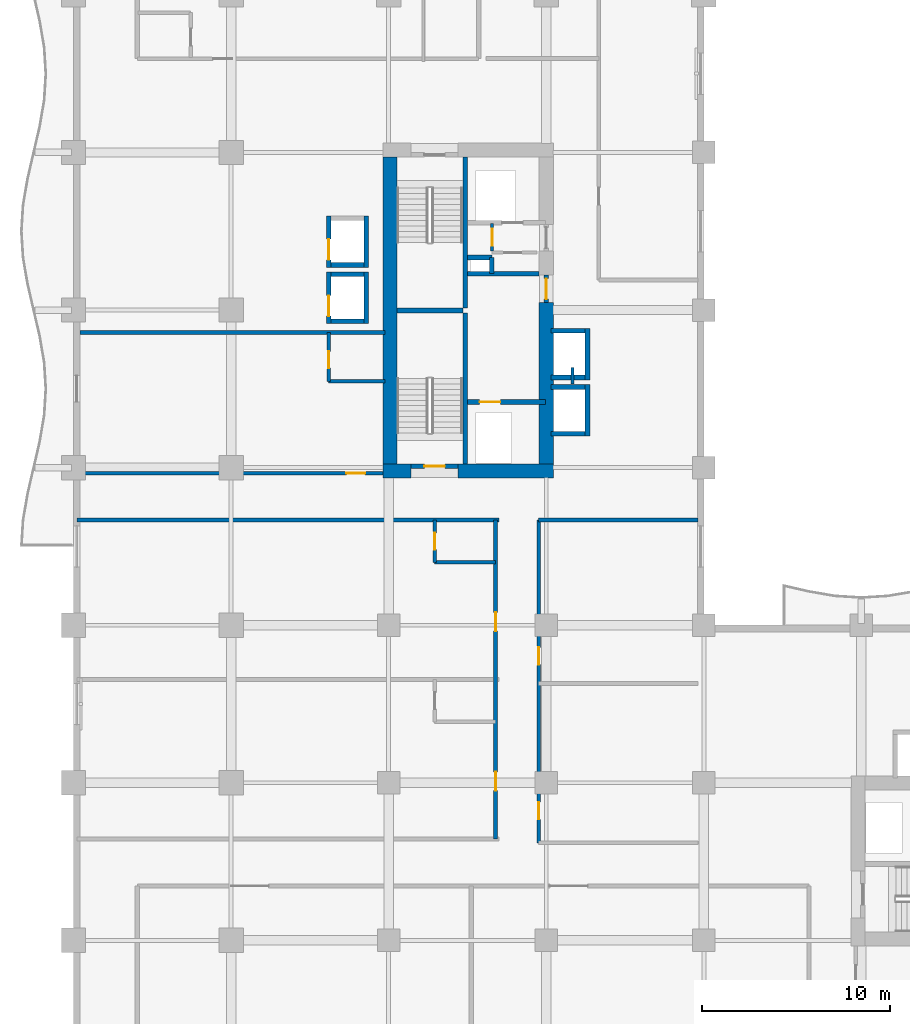
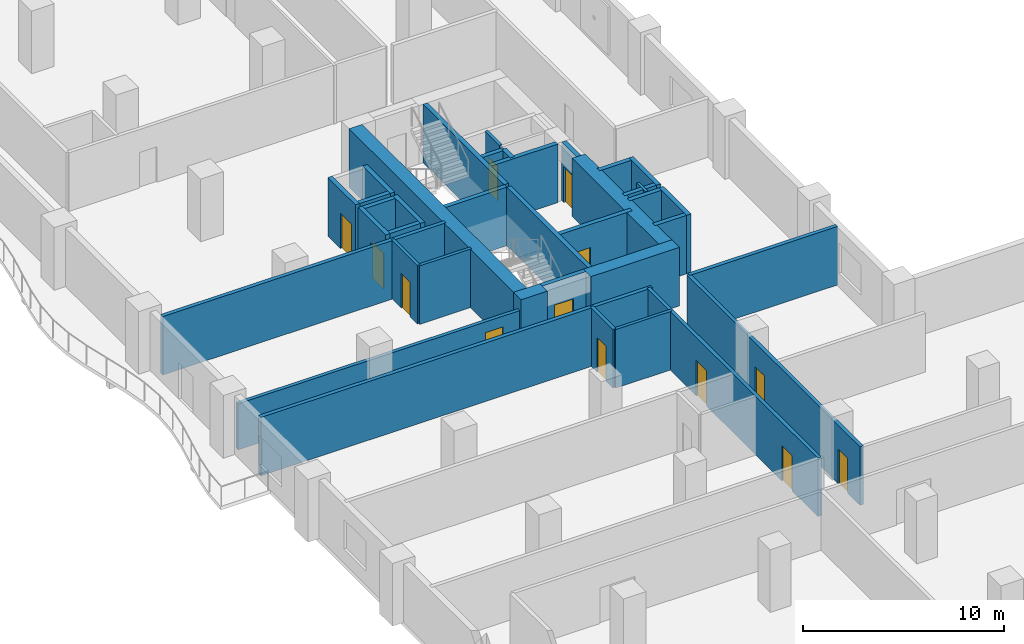
# One storey, part 10 of 22: 38 walls, 13 doors, 13 openings.
"""IFC4 building model written with IfcOpenShell, lengths in metres."""

import ifcopenshell
import ifcopenshell.guid

model = None  # the IFC model being written
_history = None  # IfcOwnerHistory: only IFC2X3 demands one
_inside = {}  # id of a spatial element -> (the spatial element, [elements in it])
_under = {}  # id of a project, library or spatial element -> (it, [spatial elements below it])
_declared = {}  # id of a project -> (the project, [libraries it declares])
_typed = {}  # id of a type object -> (the type object, [elements of that type])
_made_of = {}  # id of a material, layer set ... -> (it, [elements and type objects made of it])


def new_model(schema):
    """Start an empty IFC model of exactly this schema.

    Asked for "IFC4X3", IfcOpenShell would pick the latest addendum, in which some entities
    have other attributes; the version numbers below select the first issue.
    IFC2X3 requires an IfcOwnerHistory on every rooted entity: one is made here for all.
    """
    global model, _history
    if schema == "IFC4X3":
        model = ifcopenshell.file(schema_version=(4, 3, 0, 0))
    else:
        model = ifcopenshell.file(schema=schema)
    _inside.clear()
    _under.clear()
    _declared.clear()
    _typed.clear()
    _made_of.clear()
    _history = None
    if model.schema == "IFC2X3":
        org = make("IfcOrganization", Name="unknown")
        user = make(
            "IfcPersonAndOrganization",
            ThePerson=make("IfcPerson", FamilyName="unknown"),
            TheOrganization=org,
        )
        app = make(
            "IfcApplication",
            ApplicationDeveloper=org,
            Version="unknown",
            ApplicationFullName="unknown",
            ApplicationIdentifier="unknown",
        )
        _history = make(
            "IfcOwnerHistory",
            OwningUser=user,
            OwningApplication=app,
            ChangeAction="ADDED",
            CreationDate=0,
        )
    return model


def make(cls, **values):
    """One entity of the class cls with the attributes given. An attribute that is None is left unset."""
    return model.create_entity(
        cls, **{name: value for name, value in values.items() if value is not None}
    )


def rooted(cls, **values):
    """An entity with a GlobalId (a new one), such as an element, a storey or a relation."""
    return make(cls, GlobalId=ifcopenshell.guid.new(), OwnerHistory=_history, **values)


def si_unit(unit_type, name, prefix=None):
    """IfcSIUnit, for example si_unit("LENGTHUNIT", "METRE", prefix="MILLI")."""
    return make("IfcSIUnit", UnitType=unit_type, Prefix=prefix, Name=name)


def assignment(units):
    """IfcUnitAssignment: the units of a project."""
    return None if units is None else make("IfcUnitAssignment", Units=units)


def point(xyz):
    """IfcCartesianPoint."""
    return None if xyz is None else make("IfcCartesianPoint", Coordinates=xyz)


def direction(xyz):
    """IfcDirection."""
    return None if xyz is None else make("IfcDirection", DirectionRatios=xyz)


def frame(location, z_axis=None, x_axis=None):
    """IfcAxis2Placement3D, a coordinate frame: its origin and axes. An axis left out is left unset."""
    return make(
        "IfcAxis2Placement3D",
        Location=point(location),
        Axis=direction(z_axis),
        RefDirection=direction(x_axis),
    )


def frame_2d(location, x_axis=None):
    """IfcAxis2Placement2D, a coordinate frame in the plane: its origin and x axis."""
    return make(
        "IfcAxis2Placement2D", Location=point(location), RefDirection=direction(x_axis)
    )


def origin():
    """The frame at (0, 0, 0) with its axes left unset."""
    return frame((0.0, 0.0, 0.0))


def place(relative_to, where):
    """IfcLocalPlacement: puts the frame where relative to a parent placement (None: the world)."""
    return make(
        "IfcLocalPlacement", PlacementRelTo=relative_to, RelativePlacement=where
    )


def context(
    kind, dimensions, precision=None, world=None, true_north=None, identifier=None
):
    """IfcGeometricRepresentationContext, for example the 3D "Model" context."""
    return make(
        "IfcGeometricRepresentationContext",
        ContextIdentifier=identifier,
        ContextType=kind,
        CoordinateSpaceDimension=dimensions,
        Precision=precision,
        WorldCoordinateSystem=world,
        TrueNorth=true_north,
    )


def subcontext(parent, identifier, kind, view, scale=None):
    """IfcGeometricRepresentationSubContext, for example "Body" below "Model"."""
    return make(
        "IfcGeometricRepresentationSubContext",
        ContextIdentifier=identifier,
        ContextType=kind,
        ParentContext=parent,
        TargetScale=scale,
        TargetView=view,
    )


def project(units=None, contexts=None):
    """IfcProject with its units and contexts."""
    return rooted(
        "IfcProject",
        Name="project",
        RepresentationContexts=contexts,
        UnitsInContext=assignment(units),
    )


def spatial(cls, under=None, at=None, **own):
    """A site, building, storey or space (cls), placed at a placement, below another one or the project."""
    s = rooted(cls, ObjectPlacement=at, **own)
    if under is not None:
        _under.setdefault(under.id(), (under, []))[1].append(s)
    return s


def profile(cls, at=None, kind="AREA", **sizes):
    """A parametric profile (cls). Its sizes go by their IFC names, for example OverallWidth=200.0."""
    return make(cls, ProfileType=kind, Position=at, **sizes)


def rectangle(**sizes):
    """IfcRectangleProfileDef."""
    return profile("IfcRectangleProfileDef", **sizes)


def extrude(swept, where, along, depth):
    """IfcExtrudedAreaSolid: the profile swept, set in the frame where, extruded along a direction by depth."""
    return make(
        "IfcExtrudedAreaSolid",
        SweptArea=swept,
        Position=where,
        ExtrudedDirection=direction(along),
        Depth=depth,
    )


def shape(context_of_items, identifier, shape_type, items):
    """IfcShapeRepresentation: the items that make up one representation, for example the "Body"."""
    return make(
        "IfcShapeRepresentation",
        ContextOfItems=context_of_items,
        RepresentationIdentifier=identifier,
        RepresentationType=shape_type,
        Items=items,
    )


def material(Name=None, Category=None):
    """IfcMaterial."""
    return make("IfcMaterial", Name=Name, Category=Category)


def layer(
    of_material, thickness, ventilated=None, Name=None, Category=None, Priority=None
):
    """IfcMaterialLayer: one layer of a wall or slab, of a material (None: an air gap)."""
    return make(
        "IfcMaterialLayer",
        Material=of_material,
        LayerThickness=thickness,
        IsVentilated=ventilated,
        Name=Name,
        Category=Category,
        Priority=Priority,
    )


def layer_set(layers, Name=None):
    """IfcMaterialLayerSet."""
    return make("IfcMaterialLayerSet", MaterialLayers=layers, LayerSetName=Name)


def made_of(thing, what):
    """Note that an element or type object is made of a material, layer set ...; save() writes the relation."""
    if what is not None:
        _made_of.setdefault(what.id(), (what, []))[1].append(thing)
    return thing


def type_object(cls, material=None, **own):
    """A type object (cls), such as IfcWallType, which elements share."""
    return made_of(rooted(cls, **own), material)


def element(
    cls,
    number,
    at=None,
    inside=None,
    cuts=None,
    type_object=None,
    material=None,
    context=None,
    identifier="Body",
    shape_type=None,
    held_by="IfcProductDefinitionShape",
    body=None,
    shapes=None,
    **own,
):
    """One element of the class cls, such as IfcWall. Its Tag is "e" and its number.

    at: its placement. inside: the storey or other place that contains it. cuts: it is an
    opening in that element (IfcRelVoidsElement). A single representation is given by context,
    identifier, shape_type and body (its items); several are given by shapes. held_by: the class
    of the entity that holds the representations. save() writes the other relations.
    """
    e = rooted(cls, Tag="e%d" % number, ObjectPlacement=at, **own)
    if body is not None:
        shapes = [shape(context, identifier, shape_type, body)]
    if shapes is not None:
        e.Representation = make(held_by, Representations=shapes)
    if inside is not None:
        _inside.setdefault(inside.id(), (inside, []))[1].append(e)
    if cuts is not None:
        rooted(
            "IfcRelVoidsElement", RelatingBuildingElement=cuts, RelatedOpeningElement=e
        )
    if type_object is not None:
        _typed.setdefault(type_object.id(), (type_object, []))[1].append(e)
    return made_of(e, material)


def fill(opening, filler):
    """IfcRelFillsElement: the door or window that sits in an opening."""
    return rooted(
        "IfcRelFillsElement",
        RelatingOpeningElement=opening,
        RelatedBuildingElement=filler,
    )


def aggregate(whole, parts):
    """IfcRelAggregates: a whole, such as a stair, and the parts it consists of."""
    return rooted("IfcRelAggregates", RelatingObject=whole, RelatedObjects=parts)


def save(model, path):
    """Write the relations noted so far, then the file.

    IfcRelAggregates (storeys below a building ...), IfcRelContainedInSpatialStructure (elements
    in a storey), IfcRelDefinesByType, IfcRelAssociatesMaterial and IfcRelDeclares: one each for
    every whole, place, type object, material and project.
    """
    for whole, parts in _under.values():
        aggregate(whole, parts)
    for where, things in _inside.values():
        rooted(
            "IfcRelContainedInSpatialStructure",
            RelatedElements=things,
            RelatingStructure=where,
        )
    for kind, things in _typed.values():
        rooted("IfcRelDefinesByType", RelatedObjects=things, RelatingType=kind)
    for what, things in _made_of.values():
        rooted("IfcRelAssociatesMaterial", RelatedObjects=things, RelatingMaterial=what)
    for by, libraries in _declared.values():
        rooted("IfcRelDeclares", RelatingContext=by, RelatedDefinitions=libraries)
    model.write(path)


model = new_model("IFC4")

# Units and contexts
model_context = context("Model", 3, precision=1e-05, world=origin(), true_north=direction((0.0, 1.0)))
body_context = subcontext(model_context, "Body", "Model", "MODEL_VIEW")
ifc_project = project(units=[si_unit("LENGTHUNIT", "METRE"), si_unit("AREAUNIT", "SQUARE_METRE"), si_unit("VOLUMEUNIT", "CUBIC_METRE"), si_unit("PLANEANGLEUNIT", "RADIAN"), si_unit("MASSUNIT", "GRAM", prefix="KILO")], contexts=[model_context])

# Site, building, storey
site_placement = place(None, origin())
site = spatial("IfcSite", under=ifc_project, at=site_placement, CompositionType="ELEMENT")
building_placement = place(site_placement, origin())
building = spatial("IfcBuilding", under=site, at=building_placement, Name="Koriwani Terraces Tower", CompositionType="ELEMENT")
storey_placement = place(building_placement, frame((0.0, 0.0, 141.800048828125)))
storey = spatial("IfcBuildingStorey", under=building, at=storey_placement, Name="L34", CompositionType="ELEMENT", Elevation=141.800048828125)

# Walls
ifc_material_1 = material(Name="Concrete C60/75", Category="concrete")
ifc_layer_1 = layer(ifc_material_1, 0.75, Name="Concrete C60/75")
ifc_layer_set_1 = layer_set([ifc_layer_1], Name="Concrete C60/75")
wall_type_1 = type_object("IfcWallType", Name="WALL_CORE_RC_750", PredefinedType="SHEAR", material=ifc_layer_set_1)
wall_1_placement = place(storey_placement, frame((16.5, 41.824951171875, 0.0), z_axis=(0.0, 0.0, 1.0), x_axis=(1.0, 0.0, 0.0)))
element("IfcWall", 1, at=wall_1_placement, inside=storey, type_object=wall_type_1, Name="L34 West Split Core Shear Wall S1", PredefinedType="SHEAR", context=body_context, shape_type="SweptSolid", body=[
    extrude(rectangle(XDim=1.5, YDim=0.75, at=frame_2d((0.75, 0.0))), origin(), (0.0, 0.0, 1.0), 3.550048828125),
])
wall_2_placement = place(storey_placement, frame((20.5, 41.824951171875, 0.0), z_axis=(0.0, 0.0, 1.0), x_axis=(1.0, 0.0, 0.0)))
element("IfcWall", 2, at=wall_2_placement, inside=storey, type_object=wall_type_1, Name="L34 West Split Core Shear Wall S2", PredefinedType="SHEAR", context=body_context, shape_type="SweptSolid", body=[
    extrude(rectangle(XDim=5.074951171875, YDim=0.75, at=frame_2d((2.53759765625, 0.0))), origin(), (0.0, 0.0, 1.0), 3.550048828125),
])
wall_3_placement = place(storey_placement, frame((16.875, 42.199951171875, 0.0), z_axis=(0.0, 0.0, 1.0), x_axis=(0.0, 1.0, 0.0)))
element("IfcWall", 3, at=wall_3_placement, inside=storey, type_object=wall_type_1, Name="L34 West Split Core Shear Wall W1", PredefinedType="SHEAR", context=body_context, shape_type="SweptSolid", body=[
    extrude(rectangle(XDim=16.35009765625, YDim=0.75, at=frame_2d((8.175048828125, 0.0))), origin(), (0.0, 0.0, 1.0), 3.550048828125),
])
wall_4_placement = place(storey_placement, frame((25.199951171875, 42.199951171875, 0.0), z_axis=(0.0, 0.0, 1.0), x_axis=(0.0, 1.0, 0.0)))
element("IfcWall", 4, at=wall_4_placement, inside=storey, type_object=wall_type_1, Name="L34 West Split Core Shear Wall E1", PredefinedType="SHEAR", context=body_context, shape_type="SweptSolid", body=[
    extrude(rectangle(XDim=8.60009765625, YDim=0.75, at=frame_2d((4.300048828125, 0.0))), origin(), (0.0, 0.0, 1.0), 3.550048828125),
])

# Wall, opening, door
ifc_material_2 = material(Name="Autoclaved Cellular Concrete Blockwork", Category="masonry")
ifc_layer_2 = layer(ifc_material_2, 0.199951171875, Name="Autoclaved Cellular Concrete Blockwork")
ifc_layer_set_2 = layer_set([ifc_layer_2], Name="Autoclaved Cellular Concrete Blockwork")
wall_type_2 = type_object("IfcWallType", Name="WALL_CORRIDOR_200", PredefinedType="PARTITIONING", material=ifc_layer_set_2)
wall_5_placement = place(storey_placement, frame((0.35009765625, 41.699951171875, 0.0), z_axis=(0.0, 0.0, 1.0), x_axis=(1.0, 0.0, 0.0)))
wall_5 = element("IfcWall", 5, at=wall_5_placement, inside=storey, type_object=wall_type_2, Name="L34 Interior Wall WREC-WS-L34", PredefinedType="PARTITIONING", context=body_context, shape_type="SweptSolid", body=[
    extrude(rectangle(XDim=16.25, YDim=0.199951171875, at=frame_2d((8.125, 0.0))), origin(), (0.0, 0.0, 1.0), 2.800048828125),
])
opening_1_placement = place(wall_5_placement, frame((14.199951171875, 0.0, 0.0)))
opening_1 = element("IfcOpeningElement", 6, at=opening_1_placement, cuts=wall_5, Name="Opening D-05", PredefinedType="OPENING", context=body_context, shape_type="SweptSolid", body=[
    extrude(rectangle(XDim=1.0, YDim=2.14990234375, at=frame_2d((0.5, 1.074951171875))), frame((0.0, 0.10986328125, 0.0), z_axis=(0.0, -1.0, 0.0), x_axis=(1.0, 0.0, 0.0)), (0.0, 0.0, 1.0), 0.219970703125),
])
ifc_material_3 = material(Name="Architectural Oak Fire Door", Category="wood")
door_type_1 = type_object("IfcDoorType", Name="DOOR_SUITE_ENTRY_1000X2150", OperationType="NOTDEFINED", PredefinedType="DOOR", material=ifc_material_3)
door_1_placement = place(opening_1_placement, origin())
door_1 = element("IfcDoor", 7, at=door_1_placement, inside=storey, type_object=door_type_1, Name="L34 Reclaimed West Suite Door", OperationType="SINGLE_SWING_RIGHT", OverallHeight=2.14990234375, OverallWidth=1.0, PredefinedType="DOOR", context=body_context, shape_type="SweptSolid", body=[
    extrude(rectangle(XDim=1.0, YDim=2.14990234375, at=frame_2d((0.5, 1.074951171875))), frame((0.0, 0.02490234375, 0.0), z_axis=(0.0, -1.0, 0.0), x_axis=(1.0, 0.0, 0.0)), (0.0, 0.0, 1.0), 0.050048828125),
])
fill(opening_1, door_1)

# Wall, openings, doors
wall_6_placement = place(storey_placement, frame((24.800048828125, 22.0, 0.0), z_axis=(0.0, 0.0, 1.0), x_axis=(0.0, 1.0, 0.0)))
wall_6 = element("IfcWall", 8, at=wall_6_placement, inside=storey, type_object=wall_type_2, Name="L34 Interior Wall WIC2-W-L34", PredefinedType="PARTITIONING", context=body_context, shape_type="SweptSolid", body=[
    extrude(rectangle(XDim=17.199951171875, YDim=0.199951171875, at=frame_2d((8.60009765625, 0.0))), origin(), (0.0, 0.0, 1.0), 3.550048828125),
])
opening_2_placement = place(wall_6_placement, frame((1.25, 0.0, 0.0)))
opening_2 = element("IfcOpeningElement", 9, at=opening_2_placement, cuts=wall_6, Name="Opening D-06", PredefinedType="OPENING", context=body_context, shape_type="SweptSolid", body=[
    extrude(rectangle(XDim=0.919921875, YDim=2.10009765625, at=frame_2d((0.4599609375, 1.050048828125))), frame((0.0, 0.10986328125, 0.0), z_axis=(0.0, -1.0, 0.0), x_axis=(1.0, 0.0, 0.0)), (0.0, 0.0, 1.0), 0.219970703125),
])
opening_3_placement = place(wall_6_placement, frame((9.5, 0.0, 0.0)))
opening_3 = element("IfcOpeningElement", 10, at=opening_3_placement, cuts=wall_6, Name="Opening D-06", PredefinedType="OPENING", context=body_context, shape_type="SweptSolid", body=[
    extrude(rectangle(XDim=0.919921875, YDim=2.10009765625, at=frame_2d((0.4599609375, 1.050048828125))), frame((0.0, 0.10986328125, 0.0), z_axis=(0.0, -1.0, 0.0), x_axis=(1.0, 0.0, 0.0)), (0.0, 0.0, 1.0), 0.219970703125),
])
door_type_2 = type_object("IfcDoorType", Name="DOOR_ROOM_INT_920X2100", OperationType="NOTDEFINED", PredefinedType="DOOR", material=ifc_material_3)
door_2_placement = place(opening_2_placement, origin())
door_2 = element("IfcDoor", 11, at=door_2_placement, inside=storey, type_object=door_type_2, Name="L34 Inner Court Salon Door", OperationType="SINGLE_SWING_LEFT", OverallHeight=2.10009765625, OverallWidth=0.919921875, PredefinedType="DOOR", context=body_context, shape_type="SweptSolid", body=[
    extrude(rectangle(XDim=0.919921875, YDim=2.10009765625, at=frame_2d((0.4599609375, 1.050048828125))), frame((0.0, 0.02490234375, 0.0), z_axis=(0.0, -1.0, 0.0), x_axis=(1.0, 0.0, 0.0)), (0.0, 0.0, 1.0), 0.050048828125),
])
fill(opening_2, door_2)
door_3_placement = place(opening_3_placement, origin())
door_3 = element("IfcDoor", 12, at=door_3_placement, inside=storey, type_object=door_type_2, Name="L34 Inner Court Media Room Door", OperationType="SINGLE_SWING_RIGHT", OverallHeight=2.10009765625, OverallWidth=0.919921875, PredefinedType="DOOR", context=body_context, shape_type="SweptSolid", body=[
    extrude(rectangle(XDim=0.919921875, YDim=2.10009765625, at=frame_2d((0.4599609375, 1.050048828125))), frame((0.0, 0.02490234375, 0.0), z_axis=(0.0, -1.0, 0.0), x_axis=(1.0, 0.0, 0.0)), (0.0, 0.0, 1.0), 0.050048828125),
])
fill(opening_3, door_3)

wall_7_placement = place(storey_placement, frame((22.5, 22.199951171875, 0.0), z_axis=(0.0, 0.0, 1.0), x_axis=(0.0, 1.0, 0.0)))
wall_7 = element("IfcWall", 13, at=wall_7_placement, inside=storey, type_object=wall_type_2, Name="L34 Interior Wall WCOR-L34-NW-0", PredefinedType="PARTITIONING", context=body_context, shape_type="SweptSolid", body=[
    extrude(rectangle(XDim=17.0, YDim=0.199951171875, at=frame_2d((8.5, 0.0))), origin(), (0.0, 0.0, 1.0), 3.550048828125),
])
opening_4_placement = place(wall_7_placement, frame((2.5849609375, 0.0, 0.0)))
opening_4 = element("IfcOpeningElement", 14, at=opening_4_placement, cuts=wall_7, Name="Opening D-05", PredefinedType="OPENING", context=body_context, shape_type="SweptSolid", body=[
    extrude(rectangle(XDim=1.0, YDim=2.14990234375, at=frame_2d((0.5, 1.074951171875))), frame((0.0, 0.10986328125, 0.0), z_axis=(0.0, -1.0, 0.0), x_axis=(1.0, 0.0, 0.0)), (0.0, 0.0, 1.0), 0.219970703125),
])
opening_5_placement = place(wall_7_placement, frame((11.0849609375, 0.0, 0.0)))
opening_5 = element("IfcOpeningElement", 15, at=opening_5_placement, cuts=wall_7, Name="Opening D-05", PredefinedType="OPENING", context=body_context, shape_type="SweptSolid", body=[
    extrude(rectangle(XDim=1.0, YDim=2.14990234375, at=frame_2d((0.5, 1.074951171875))), frame((0.0, 0.10986328125, 0.0), z_axis=(0.0, -1.0, 0.0), x_axis=(1.0, 0.0, 0.0)), (0.0, 0.0, 1.0), 0.219970703125),
])
door_4_placement = place(opening_4_placement, origin())
door_4 = element("IfcDoor", 16, at=door_4_placement, inside=storey, type_object=door_type_1, Name="Luxury Hotel Suite 34NW1 Entrance Door", OperationType="SINGLE_SWING_LEFT", OverallHeight=2.14990234375, OverallWidth=1.0, PredefinedType="DOOR", context=body_context, shape_type="SweptSolid", body=[
    extrude(rectangle(XDim=1.0, YDim=2.14990234375, at=frame_2d((0.5, 1.074951171875))), frame((0.0, 0.02490234375, 0.0), z_axis=(0.0, -1.0, 0.0), x_axis=(1.0, 0.0, 0.0)), (0.0, 0.0, 1.0), 0.050048828125),
])
fill(opening_4, door_4)
door_5_placement = place(opening_5_placement, origin())
door_5 = element("IfcDoor", 17, at=door_5_placement, inside=storey, type_object=door_type_1, Name="Luxury Hotel Suite 34NW2 Entrance Door", OperationType="SINGLE_SWING_LEFT", OverallHeight=2.14990234375, OverallWidth=1.0, PredefinedType="DOOR", context=body_context, shape_type="SweptSolid", body=[
    extrude(rectangle(XDim=1.0, YDim=2.14990234375, at=frame_2d((0.5, 1.074951171875))), frame((0.0, 0.02490234375, 0.0), z_axis=(0.0, -1.0, 0.0), x_axis=(1.0, 0.0, 0.0)), (0.0, 0.0, 1.0), 0.050048828125),
])
fill(opening_5, door_5)

# Walls
ifc_layer_3 = layer(ifc_material_2, 0.219970703125, Name="Autoclaved Cellular Concrete Blockwork")
ifc_layer_set_3 = layer_set([ifc_layer_3], Name="Autoclaved Cellular Concrete Blockwork")
wall_type_3 = type_object("IfcWallType", Name="WALL_DEMISING_220", PredefinedType="PARTITIONING", material=ifc_layer_set_3)
wall_8_placement = place(storey_placement, frame((0.35009765625, 49.199951171875, 0.0), z_axis=(0.0, 0.0, 1.0), x_axis=(1.0, 0.0, 0.0)))
element("IfcWall", 18, at=wall_8_placement, inside=storey, type_object=wall_type_3, Name="L34 Interior Wall WREC-WN-L34", PredefinedType="PARTITIONING", context=body_context, shape_type="SweptSolid", body=[
    extrude(rectangle(XDim=16.25, YDim=0.219970703125, at=frame_2d((8.125, 0.0))), origin(), (0.0, 0.0, 1.0), 3.550048828125),
])
wall_9_placement = place(storey_placement, frame((24.800048828125, 39.199951171875, 0.0), z_axis=(0.0, 0.0, 1.0), x_axis=(1.0, 0.0, 0.0)))
element("IfcWall", 19, at=wall_9_placement, inside=storey, type_object=wall_type_3, Name="L34 Interior Wall WIC2-N-L34", PredefinedType="PARTITIONING", context=body_context, shape_type="SweptSolid", body=[
    extrude(rectangle(XDim=8.5, YDim=0.219970703125, at=frame_2d((4.25, 0.0))), origin(), (0.0, 0.0, 1.0), 3.550048828125),
])
wall_10_placement = place(storey_placement, frame((0.199951171875, 39.199951171875, 0.0), z_axis=(0.0, 0.0, 1.0), x_axis=(1.0, 0.0, 0.0)))
element("IfcWall", 20, at=wall_10_placement, inside=storey, type_object=wall_type_3, Name="L34 Interior Wall WDEME-L34-NW", PredefinedType="PARTITIONING", context=body_context, shape_type="SweptSolid", body=[
    extrude(rectangle(XDim=22.47998046875, YDim=0.219970703125, at=frame_2d((11.239990234375, 0.0))), origin(), (0.0, 0.0, 1.0), 3.550048828125),
])
ifc_material_4 = material(Name="Fire-Rated Acoustic Gypsum Partition", Category="masonry")
ifc_layer_4 = layer(ifc_material_4, 0.179931640625, Name="Fire-Rated Acoustic Gypsum Partition")
ifc_layer_set_4 = layer_set([ifc_layer_4], Name="Fire-Rated Acoustic Gypsum Partition")
wall_type_4 = type_object("IfcWallType", Name="WALL_PLUMBING_180", PredefinedType="PLUMBINGWALL", material=ifc_layer_set_4)
wall_11_placement = place(storey_placement, frame((13.60009765625, 46.60009765625, 0.0), z_axis=(0.0, 0.0, 1.0), x_axis=(1.0, 0.0, 0.0)))
element("IfcWall", 21, at=wall_11_placement, inside=storey, type_object=wall_type_4, Name="L34 Interior Wall WREC-WB1-L34", PredefinedType="PLUMBINGWALL", context=body_context, shape_type="SweptSolid", body=[
    extrude(rectangle(XDim=3.0, YDim=0.179931640625, at=frame_2d((1.5, 0.0))), origin(), (0.0, 0.0, 1.0), 3.550048828125),
])

# Wall, opening, door
wall_12_placement = place(storey_placement, frame((13.60009765625, 46.60009765625, 0.0), z_axis=(0.0, 0.0, 1.0), x_axis=(0.0, 1.0, 0.0)))
wall_12 = element("IfcWall", 22, at=wall_12_placement, inside=storey, type_object=wall_type_4, Name="L34 Interior Wall WREC-WB2-L34", PredefinedType="PLUMBINGWALL", context=body_context, shape_type="SweptSolid", body=[
    extrude(rectangle(XDim=2.599853515625, YDim=0.179931640625, at=frame_2d((1.2998046875, 0.0))), origin(), (0.0, 0.0, 1.0), 3.550048828125),
])
opening_6_placement = place(wall_12_placement, frame((0.699951171875, 0.0, 0.0)))
opening_6 = element("IfcOpeningElement", 23, at=opening_6_placement, cuts=wall_12, Name="Opening D-07", PredefinedType="OPENING", context=body_context, shape_type="SweptSolid", body=[
    extrude(rectangle(XDim=0.89990234375, YDim=2.10009765625, at=frame_2d((0.449951171875, 1.050048828125))), frame((0.0, 0.10009765625, 0.0), z_axis=(0.0, -1.0, 0.0), x_axis=(1.0, 0.0, 0.0)), (0.0, 0.0, 1.0), 0.199951171875),
])
door_type_3 = type_object("IfcDoorType", Name="DOOR_BATH_INT_900X2100", OperationType="NOTDEFINED", PredefinedType="DOOR", material=ifc_material_3)
door_6_placement = place(opening_6_placement, origin())
door_6 = element("IfcDoor", 24, at=door_6_placement, inside=storey, type_object=door_type_3, Name="L34 Reclaimed Suite En-Suite Door", OperationType="SINGLE_SWING_LEFT", OverallHeight=2.10009765625, OverallWidth=0.89990234375, PredefinedType="DOOR", context=body_context, shape_type="SweptSolid", body=[
    extrude(rectangle(XDim=0.89990234375, YDim=2.10009765625, at=frame_2d((0.449951171875, 1.050048828125))), frame((0.0, 0.02490234375, 0.0), z_axis=(0.0, -1.0, 0.0), x_axis=(1.0, 0.0, 0.0)), (0.0, 0.0, 1.0), 0.050048828125),
])
fill(opening_6, door_6)

wall_13_placement = place(storey_placement, frame((19.25, 36.949951171875, 0.0), z_axis=(0.0, 0.0, 1.0), x_axis=(0.0, 1.0, 0.0)))
wall_13 = element("IfcWall", 25, at=wall_13_placement, inside=storey, type_object=wall_type_4, Name="L34 Interior Wall WBTH1-L34-NW-1", PredefinedType="PLUMBINGWALL", context=body_context, shape_type="SweptSolid", body=[
    extrude(rectangle(XDim=2.25, YDim=0.179931640625, at=frame_2d((1.125, 0.0))), origin(), (0.0, 0.0, 1.0), 3.550048828125),
])
opening_7_placement = place(wall_13_placement, frame((0.675048828125, 0.0, 0.0)))
opening_7 = element("IfcOpeningElement", 26, at=opening_7_placement, cuts=wall_13, Name="Opening D-07", PredefinedType="OPENING", context=body_context, shape_type="SweptSolid", body=[
    extrude(rectangle(XDim=0.89990234375, YDim=2.10009765625, at=frame_2d((0.449951171875, 1.050048828125))), frame((0.0, 0.10009765625, 0.0), z_axis=(0.0, -1.0, 0.0), x_axis=(1.0, 0.0, 0.0)), (0.0, 0.0, 1.0), 0.199951171875),
])
door_7_placement = place(opening_7_placement, origin())
door_7 = element("IfcDoor", 27, at=door_7_placement, inside=storey, type_object=door_type_3, Name="En-Suite Bathroom 34NW2 Door", OperationType="SINGLE_SWING_RIGHT", OverallHeight=2.10009765625, OverallWidth=0.89990234375, PredefinedType="DOOR", context=body_context, shape_type="SweptSolid", body=[
    extrude(rectangle(XDim=0.89990234375, YDim=2.10009765625, at=frame_2d((0.449951171875, 1.050048828125))), frame((0.0, 0.02490234375, 0.0), z_axis=(0.0, -1.0, 0.0), x_axis=(1.0, 0.0, 0.0)), (0.0, 0.0, 1.0), 0.050048828125),
])
fill(opening_7, door_7)

# Walls
wall_14_placement = place(storey_placement, frame((19.25, 36.949951171875, 0.0), z_axis=(0.0, 0.0, 1.0), x_axis=(1.0, 0.0, 0.0)))
element("IfcWall", 28, at=wall_14_placement, inside=storey, type_object=wall_type_4, Name="L34 Interior Wall WBTH2-L34-NW-1", PredefinedType="PLUMBINGWALL", context=body_context, shape_type="SweptSolid", body=[
    extrude(rectangle(XDim=3.25, YDim=0.179931640625, at=frame_2d((1.625, 0.0))), origin(), (0.0, 0.0, 1.0), 3.550048828125),
])
ifc_material_5 = material(Name="Concrete C40/50", Category="concrete")
ifc_layer_5 = layer(ifc_material_5, 0.25, Name="Concrete C40/50")
ifc_layer_set_5 = layer_set([ifc_layer_5], Name="Concrete C40/50")
wall_type_5 = type_object("IfcWallType", Name="WALL_SHAFT_RATED_250", PredefinedType="SOLIDWALL", material=ifc_layer_set_5)
for number, where, z_axis, x_axis, name in (
    (29, (20.875, 42.199951171875, 0.0), (0.0, 0.0, 1.0), (0.0, 1.0, 0.0), "L34 West Split Core Web Wall MID1"),
    (30, (20.875, 50.5, 0.0), (0.0, 0.0, 1.0), (0.0, 1.0, 0.0), "L34 West Split Core Web Wall MID2"),
):
    element("IfcWall", number, at=place(storey_placement, frame(where, z_axis=z_axis, x_axis=x_axis)), inside=storey, type_object=wall_type_5, Name=name, PredefinedType="SOLIDWALL", context=body_context, shape_type="SweptSolid", body=[
        extrude(rectangle(XDim=8.050048828125, YDim=0.25, at=frame_2d((4.02490234375, 0.0))), origin(), (0.0, 0.0, 1.0), 3.550048828125),
    ])
wall_15_placement = place(storey_placement, frame((17.25, 50.375, 0.0), z_axis=(0.0, 0.0, 1.0), x_axis=(1.0, 0.0, 0.0)))
element("IfcWall", 31, at=wall_15_placement, inside=storey, type_object=wall_type_5, Name="L34 West Split Core Stair Dividing Wall", PredefinedType="SOLIDWALL", context=body_context, shape_type="SweptSolid", body=[
    extrude(rectangle(XDim=3.5, YDim=0.25, at=frame_2d((1.75, 0.0))), origin(), (0.0, 0.0, 1.0), 3.550048828125),
])

# Wall, opening, door
wall_16_placement = place(storey_placement, frame((18.0, 42.074951171875, 0.0), z_axis=(0.0, 0.0, 1.0), x_axis=(1.0, 0.0, 0.0)))
wall_16 = element("IfcWall", 32, at=wall_16_placement, inside=storey, type_object=wall_type_5, Name="L34 Interior Wall WIN-CW-L34-STS", PredefinedType="SOLIDWALL", context=body_context, shape_type="SweptSolid", body=[
    extrude(rectangle(XDim=2.5, YDim=0.25, at=frame_2d((1.25, 0.0))), origin(), (0.0, 0.0, 1.0), 3.550048828125),
])
opening_8_placement = place(wall_16_placement, frame((0.699951171875, 0.0, 0.0)))
opening_8 = element("IfcOpeningElement", 33, at=opening_8_placement, cuts=wall_16, Name="Opening D-03", PredefinedType="OPENING", context=body_context, shape_type="SweptSolid", body=[
    extrude(rectangle(XDim=1.10009765625, YDim=2.14990234375, at=frame_2d((0.550048828125, 1.074951171875))), frame((0.0, 0.135009765625, 0.0), z_axis=(0.0, -1.0, 0.0), x_axis=(1.0, 0.0, 0.0)), (0.0, 0.0, 1.0), 0.27001953125),
])
ifc_material_6 = material(Name="Steel ASTM A572 Grade 50", Category="steel")
door_type_4 = type_object("IfcDoorType", Name="DOOR_STAIR_FIRE_1100X2150", OperationType="NOTDEFINED", PredefinedType="DOOR", material=ifc_material_6)
door_8_placement = place(opening_8_placement, origin())
door_8 = element("IfcDoor", 34, at=door_8_placement, inside=storey, type_object=door_type_4, Name="L34 Exit Stair ST-W1 Door", OperationType="SINGLE_SWING_RIGHT", OverallHeight=2.14990234375, OverallWidth=1.10009765625, PredefinedType="DOOR", context=body_context, shape_type="SweptSolid", body=[
    extrude(rectangle(XDim=1.10009765625, YDim=2.14990234375, at=frame_2d((0.550048828125, 1.074951171875))), frame((0.0, 0.02490234375, 0.0), z_axis=(0.0, -1.0, 0.0), x_axis=(1.0, 0.0, 0.0)), (0.0, 0.0, 1.0), 0.050048828125),
])
fill(opening_8, door_8)

wall_17_placement = place(storey_placement, frame((21.0, 45.5, 0.0), z_axis=(0.0, 0.0, 1.0), x_axis=(1.0, 0.0, 0.0)))
wall_17 = element("IfcWall", 35, at=wall_17_placement, inside=storey, type_object=wall_type_5, Name="L34 Interior Wall WIN-CW-L34-FE", PredefinedType="SOLIDWALL", context=body_context, shape_type="SweptSolid", body=[
    extrude(rectangle(XDim=4.14990234375, YDim=0.25, at=frame_2d((2.074951171875, 0.0))), origin(), (0.0, 0.0, 1.0), 3.550048828125),
])
opening_9_placement = place(wall_17_placement, frame((0.64990234375, 0.0, 0.0)))
opening_9 = element("IfcOpeningElement", 36, at=opening_9_placement, cuts=wall_17, Name="Opening LD-01", PredefinedType="OPENING", context=body_context, shape_type="SweptSolid", body=[
    extrude(rectangle(XDim=1.10009765625, YDim=2.14990234375, at=frame_2d((0.550048828125, 1.074951171875))), frame((0.0, 0.135009765625, 0.0), z_axis=(0.0, -1.0, 0.0), x_axis=(1.0, 0.0, 0.0)), (0.0, 0.0, 1.0), 0.27001953125),
])
door_type_5 = type_object("IfcDoorType", Name="DOOR_LIFT_LANDING_1100X2200", OperationType="NOTDEFINED", PredefinedType="DOOR", material=ifc_material_6)
door_9_placement = place(opening_9_placement, origin())
door_9 = element("IfcDoor", 37, at=door_9_placement, inside=storey, type_object=door_type_5, Name="L34 Firefighting Lift FE-01 Landing Door", OperationType="SLIDING_TO_LEFT", OverallHeight=2.14990234375, OverallWidth=1.10009765625, PredefinedType="DOOR", context=body_context, shape_type="SweptSolid", body=[
    extrude(rectangle(XDim=1.10009765625, YDim=2.14990234375, at=frame_2d((0.550048828125, 1.074951171875))), frame((0.0, 0.02490234375, 0.0), z_axis=(0.0, -1.0, 0.0), x_axis=(1.0, 0.0, 0.0)), (0.0, 0.0, 1.0), 0.050048828125),
])
fill(opening_9, door_9)

wall_18_placement = place(storey_placement, frame((25.199951171875, 50.800048828125, 0.0), z_axis=(0.0, 0.0, 1.0), x_axis=(0.0, 1.0, 0.0)))
wall_18 = element("IfcWall", 38, at=wall_18_placement, inside=storey, type_object=wall_type_5, Name="L34 Interior Wall WIN-CW-L34-EP", PredefinedType="SOLIDWALL", context=body_context, shape_type="SweptSolid", body=[
    extrude(rectangle(XDim=1.47998046875, YDim=0.25, at=frame_2d((0.739990234375, 0.0))), origin(), (0.0, 0.0, 1.0), 3.550048828125),
])
opening_10_placement = place(wall_18_placement, frame((0.179931640625, 0.0, 0.0)))
opening_10 = element("IfcOpeningElement", 39, at=opening_10_placement, cuts=wall_18, Name="Opening D-03", PredefinedType="OPENING", context=body_context, shape_type="SweptSolid", body=[
    extrude(rectangle(XDim=1.10009765625, YDim=2.14990234375, at=frame_2d((0.550048828125, 1.074951171875))), frame((0.0, 0.135009765625, 0.0), z_axis=(0.0, -1.0, 0.0), x_axis=(1.0, 0.0, 0.0)), (0.0, 0.0, 1.0), 0.27001953125),
])
door_10_placement = place(opening_10_placement, origin())
door_10 = element("IfcDoor", 40, at=door_10_placement, inside=storey, type_object=door_type_4, Name="L34 West Firefighting Lobby Door", OperationType="SINGLE_SWING_RIGHT", OverallHeight=2.14990234375, OverallWidth=1.10009765625, PredefinedType="DOOR", context=body_context, shape_type="SweptSolid", body=[
    extrude(rectangle(XDim=1.10009765625, YDim=2.14990234375, at=frame_2d((0.550048828125, 1.074951171875))), frame((0.0, 0.02490234375, 0.0), z_axis=(0.0, -1.0, 0.0), x_axis=(1.0, 0.0, 0.0)), (0.0, 0.0, 1.0), 0.050048828125),
])
fill(opening_10, door_10)

# Walls
wall_19_placement = place(storey_placement, frame((21.0, 52.340087890625, 0.0), z_axis=(0.0, 0.0, 1.0), x_axis=(1.0, 0.0, 0.0)))
element("IfcWall", 41, at=wall_19_placement, inside=storey, type_object=wall_type_5, Name="L34 Interior Wall WIN-CW-L34-FFN", PredefinedType="SOLIDWALL", context=body_context, shape_type="SweptSolid", body=[
    extrude(rectangle(XDim=3.824951171875, YDim=0.25, at=frame_2d((1.91259765625, 0.0))), origin(), (0.0, 0.0, 1.0), 3.550048828125),
])
wall_20_placement = place(storey_placement, frame((21.0, 53.199951171875, 0.0), z_axis=(0.0, 0.0, 1.0), x_axis=(1.0, 0.0, 0.0)))
element("IfcWall", 42, at=wall_20_placement, inside=storey, type_object=wall_type_5, Name="L34 Interior Wall WIN-CW-L34-RS1", PredefinedType="SOLIDWALL", context=body_context, shape_type="SweptSolid", body=[
    extrude(rectangle(XDim=1.300048828125, YDim=0.25, at=frame_2d((0.64990234375, 0.0))), origin(), (0.0, 0.0, 1.0), 3.550048828125),
])
wall_21_placement = place(storey_placement, frame((22.300048828125, 52.360107421875, 0.0), z_axis=(0.0, 0.0, 1.0), x_axis=(0.0, 1.0, 0.0)))
element("IfcWall", 43, at=wall_21_placement, inside=storey, type_object=wall_type_5, Name="L34 Interior Wall WIN-CW-L34-RS2", PredefinedType="SOLIDWALL", context=body_context, shape_type="SweptSolid", body=[
    extrude(rectangle(XDim=0.83984375, YDim=0.25, at=frame_2d((0.419921875, 0.0))), origin(), (0.0, 0.0, 1.0), 3.550048828125),
])

# Wall, opening, door
wall_22_placement = place(storey_placement, frame((13.60009765625, 49.675048828125, 0.0), z_axis=(0.0, 0.0, 1.0), x_axis=(0.0, 1.0, 0.0)))
wall_22 = element("IfcWall", 44, at=wall_22_placement, inside=storey, type_object=wall_type_5, Name="L34 Interior Wall WIN-LF-PE-M1-L34-F", PredefinedType="SOLIDWALL", context=body_context, shape_type="SweptSolid", body=[
    extrude(rectangle(XDim=2.75, YDim=0.25, at=frame_2d((1.375, 0.0))), origin(), (0.0, 0.0, 1.0), 3.550048828125),
])
opening_11_placement = place(wall_22_placement, frame((0.39990234375, 0.0, 0.0)))
opening_11 = element("IfcOpeningElement", 45, at=opening_11_placement, cuts=wall_22, Name="Opening LD-01", PredefinedType="OPENING", context=body_context, shape_type="SweptSolid", body=[
    extrude(rectangle(XDim=1.10009765625, YDim=2.14990234375, at=frame_2d((0.550048828125, 1.074951171875))), frame((0.0, 0.135009765625, 0.0), z_axis=(0.0, -1.0, 0.0), x_axis=(1.0, 0.0, 0.0)), (0.0, 0.0, 1.0), 0.27001953125),
])
door_11_placement = place(opening_11_placement, origin())
door_11 = element("IfcDoor", 46, at=door_11_placement, inside=storey, type_object=door_type_5, Name="L34 Passenger Lift PE-M1 Landing Door", OperationType="SLIDING_TO_LEFT", OverallHeight=2.14990234375, OverallWidth=1.10009765625, PredefinedType="DOOR", context=body_context, shape_type="SweptSolid", body=[
    extrude(rectangle(XDim=1.10009765625, YDim=2.14990234375, at=frame_2d((0.550048828125, 1.074951171875))), frame((0.0, 0.02490234375, 0.0), z_axis=(0.0, -1.0, 0.0), x_axis=(1.0, 0.0, 0.0)), (0.0, 0.0, 1.0), 0.050048828125),
])
fill(opening_11, door_11)

# Walls
wall_23_placement = place(storey_placement, frame((15.60009765625, 49.675048828125, 0.0), z_axis=(0.0, 0.0, 1.0), x_axis=(0.0, 1.0, 0.0)))
element("IfcWall", 47, at=wall_23_placement, inside=storey, type_object=wall_type_5, Name="L34 Interior Wall WIN-LF-PE-M1-L34-B", PredefinedType="SOLIDWALL", context=body_context, shape_type="SweptSolid", body=[
    extrude(rectangle(XDim=2.75, YDim=0.25, at=frame_2d((1.375, 0.0))), origin(), (0.0, 0.0, 1.0), 3.550048828125),
])
for number, where, z_axis, x_axis, name in (
    (48, (13.72509765625, 49.800048828125, 0.0), (0.0, 0.0, 1.0), (1.0, 0.0, 0.0), "L34 Interior Wall WIN-LF-PE-M1-L34-S"),
    (49, (13.72509765625, 52.300048828125, 0.0), (0.0, 0.0, 1.0), (1.0, 0.0, 0.0), "L34 Interior Wall WIN-LF-PE-M1-L34-N"),
):
    element("IfcWall", number, at=place(storey_placement, frame(where, z_axis=z_axis, x_axis=x_axis)), inside=storey, type_object=wall_type_5, Name=name, PredefinedType="SOLIDWALL", context=body_context, shape_type="SweptSolid", body=[
        extrude(rectangle(XDim=1.75, YDim=0.25, at=frame_2d((0.875, 0.0))), origin(), (0.0, 0.0, 1.0), 3.550048828125),
    ])

# Wall, opening, door
wall_24_placement = place(storey_placement, frame((13.60009765625, 52.675048828125, 0.0), z_axis=(0.0, 0.0, 1.0), x_axis=(0.0, 1.0, 0.0)))
wall_24 = element("IfcWall", 50, at=wall_24_placement, inside=storey, type_object=wall_type_5, Name="L34 Interior Wall WIN-LF-PE-M2-L34-F", PredefinedType="SOLIDWALL", context=body_context, shape_type="SweptSolid", body=[
    extrude(rectangle(XDim=2.75, YDim=0.25, at=frame_2d((1.375, 0.0))), origin(), (0.0, 0.0, 1.0), 3.550048828125),
])
opening_12_placement = place(wall_24_placement, frame((0.39990234375, 0.0, 0.0)))
opening_12 = element("IfcOpeningElement", 51, at=opening_12_placement, cuts=wall_24, Name="Opening LD-01", PredefinedType="OPENING", context=body_context, shape_type="SweptSolid", body=[
    extrude(rectangle(XDim=1.10009765625, YDim=2.14990234375, at=frame_2d((0.550048828125, 1.074951171875))), frame((0.0, 0.135009765625, 0.0), z_axis=(0.0, -1.0, 0.0), x_axis=(1.0, 0.0, 0.0)), (0.0, 0.0, 1.0), 0.27001953125),
])
door_12_placement = place(opening_12_placement, origin())
door_12 = element("IfcDoor", 52, at=door_12_placement, inside=storey, type_object=door_type_5, Name="L34 Passenger Lift PE-M2 Landing Door", OperationType="SLIDING_TO_LEFT", OverallHeight=2.14990234375, OverallWidth=1.10009765625, PredefinedType="DOOR", context=body_context, shape_type="SweptSolid", body=[
    extrude(rectangle(XDim=1.10009765625, YDim=2.14990234375, at=frame_2d((0.550048828125, 1.074951171875))), frame((0.0, 0.02490234375, 0.0), z_axis=(0.0, -1.0, 0.0), x_axis=(1.0, 0.0, 0.0)), (0.0, 0.0, 1.0), 0.050048828125),
])
fill(opening_12, door_12)

# Walls
wall_25_placement = place(storey_placement, frame((15.60009765625, 52.675048828125, 0.0), z_axis=(0.0, 0.0, 1.0), x_axis=(0.0, 1.0, 0.0)))
element("IfcWall", 53, at=wall_25_placement, inside=storey, type_object=wall_type_5, Name="L34 Interior Wall WIN-LF-PE-M2-L34-B", PredefinedType="SOLIDWALL", context=body_context, shape_type="SweptSolid", body=[
    extrude(rectangle(XDim=2.75, YDim=0.25, at=frame_2d((1.375, 0.0))), origin(), (0.0, 0.0, 1.0), 3.550048828125),
])
wall_26_placement = place(storey_placement, frame((13.72509765625, 52.800048828125, 0.0), z_axis=(0.0, 0.0, 1.0), x_axis=(1.0, 0.0, 0.0)))
element("IfcWall", 54, at=wall_26_placement, inside=storey, type_object=wall_type_5, Name="L34 Interior Wall WIN-LF-PE-M2-L34-S", PredefinedType="SOLIDWALL", context=body_context, shape_type="SweptSolid", body=[
    extrude(rectangle(XDim=1.75, YDim=0.25, at=frame_2d((0.875, 0.0))), origin(), (0.0, 0.0, 1.0), 3.550048828125),
])
wall_27_placement = place(storey_placement, frame((27.39990234375, 43.675048828125, 0.0), z_axis=(0.0, 0.0, 1.0), x_axis=(0.0, 1.0, 0.0)))
element("IfcWall", 55, at=wall_27_placement, inside=storey, type_object=wall_type_5, Name="L34 Interior Wall WIN-LF-PE-H1-L34-F", PredefinedType="SOLIDWALL", context=body_context, shape_type="SweptSolid", body=[
    extrude(rectangle(XDim=2.75, YDim=0.25, at=frame_2d((1.375, 0.0))), origin(), (0.0, 0.0, 1.0), 3.550048828125),
])
for number, where, z_axis, x_axis, name in (
    (56, (25.449951171875, 43.800048828125, 0.0), (0.0, 0.0, 1.0), (1.0, 0.0, 0.0), "L34 Interior Wall WIN-LF-PE-H1-L34-S"),
    (57, (25.449951171875, 46.300048828125, 0.0), (0.0, 0.0, 1.0), (1.0, 0.0, 0.0), "L34 Interior Wall WIN-LF-PE-H1-L34-N"),
):
    element("IfcWall", number, at=place(storey_placement, frame(where, z_axis=z_axis, x_axis=x_axis)), inside=storey, type_object=wall_type_5, Name=name, PredefinedType="SOLIDWALL", context=body_context, shape_type="SweptSolid", body=[
        extrude(rectangle(XDim=1.824951171875, YDim=0.25, at=frame_2d((0.91259765625, 0.0))), origin(), (0.0, 0.0, 1.0), 3.550048828125),
    ])
wall_28_placement = place(storey_placement, frame((27.39990234375, 46.675048828125, 0.0), z_axis=(0.0, 0.0, 1.0), x_axis=(0.0, 1.0, 0.0)))
element("IfcWall", 58, at=wall_28_placement, inside=storey, type_object=wall_type_5, Name="L34 Interior Wall WIN-LF-PE-H2-L34-F", PredefinedType="SOLIDWALL", context=body_context, shape_type="SweptSolid", body=[
    extrude(rectangle(XDim=2.75, YDim=0.25, at=frame_2d((1.375, 0.0))), origin(), (0.0, 0.0, 1.0), 3.550048828125),
])
for number, where, z_axis, x_axis, name in (
    (59, (25.449951171875, 46.800048828125, 0.0), (0.0, 0.0, 1.0), (1.0, 0.0, 0.0), "L34 Interior Wall WIN-LF-PE-H2-L34-S"),
    (60, (25.449951171875, 49.300048828125, 0.0), (0.0, 0.0, 1.0), (1.0, 0.0, 0.0), "L34 Interior Wall WIN-LF-PE-H2-L34-N"),
):
    element("IfcWall", number, at=place(storey_placement, frame(where, z_axis=z_axis, x_axis=x_axis)), inside=storey, type_object=wall_type_5, Name=name, PredefinedType="SOLIDWALL", context=body_context, shape_type="SweptSolid", body=[
        extrude(rectangle(XDim=1.824951171875, YDim=0.25, at=frame_2d((0.91259765625, 0.0))), origin(), (0.0, 0.0, 1.0), 3.550048828125),
    ])

# Wall, opening, door
ifc_layer_6 = layer(ifc_material_4, 0.159912109375, Name="Fire-Rated Acoustic Gypsum Partition")
ifc_layer_set_6 = layer_set([ifc_layer_6], Name="Fire-Rated Acoustic Gypsum Partition")
wall_type_6 = type_object("IfcWallType", Name="WALL_SUITE_160", PredefinedType="PARTITIONING", material=ifc_layer_set_6)
wall_29_placement = place(storey_placement, frame((22.320068359375, 53.56005859375, 0.0), z_axis=(0.0, 0.0, 1.0), x_axis=(0.0, 1.0, 0.0)))
wall_29 = element("IfcWall", 61, at=wall_29_placement, inside=storey, type_object=wall_type_6, Name="L34 Interior Wall WIN-CW-L34-SV1A", PredefinedType="PARTITIONING", context=body_context, shape_type="SweptSolid", body=[
    extrude(rectangle(XDim=1.43994140625, YDim=0.159912109375, at=frame_2d((0.719970703125, 0.0))), origin(), (0.0, 0.0, 1.0), 3.550048828125),
])
opening_13_placement = place(wall_29_placement, frame((0.260009765625, 0.0, 0.0)))
opening_13 = element("IfcOpeningElement", 62, at=opening_13_placement, cuts=wall_29, Name="Opening D-07", PredefinedType="OPENING", context=body_context, shape_type="SweptSolid", body=[
    extrude(rectangle(XDim=0.89990234375, YDim=2.10009765625, at=frame_2d((0.449951171875, 1.050048828125))), frame((0.0, 0.08984375, 0.0), z_axis=(0.0, -1.0, 0.0), x_axis=(1.0, 0.0, 0.0)), (0.0, 0.0, 1.0), 0.179931640625),
])
door_13_placement = place(opening_13_placement, origin())
door_13 = element("IfcDoor", 63, at=door_13_placement, inside=storey, type_object=door_type_3, Name="L34 West Telecom Room Door", OperationType="SINGLE_SWING_RIGHT", OverallHeight=2.10009765625, OverallWidth=0.89990234375, PredefinedType="DOOR", context=body_context, shape_type="SweptSolid", body=[
    extrude(rectangle(XDim=0.89990234375, YDim=2.10009765625, at=frame_2d((0.449951171875, 1.050048828125))), frame((0.0, 0.02490234375, 0.0), z_axis=(0.0, -1.0, 0.0), x_axis=(1.0, 0.0, 0.0)), (0.0, 0.0, 1.0), 0.050048828125),
])
fill(opening_13, door_13)

# Wall
wall_30_placement = place(storey_placement, frame((26.60009765625, 46.4599609375, 0.0), z_axis=(0.0, 0.0, 1.0), x_axis=(0.0, 1.0, 0.0)))
element("IfcWall", 64, at=wall_30_placement, inside=storey, type_object=wall_type_6, Name="L34 Interior Wall WIN-LF-PEH12-MID-L34", PredefinedType="PARTITIONING", context=body_context, shape_type="SweptSolid", body=[
    extrude(rectangle(XDim=0.880126953125, YDim=0.159912109375, at=frame_2d((0.43994140625, 0.0))), origin(), (0.0, 0.0, 1.0), 3.550048828125),
])

save(model, "model.ifc")
